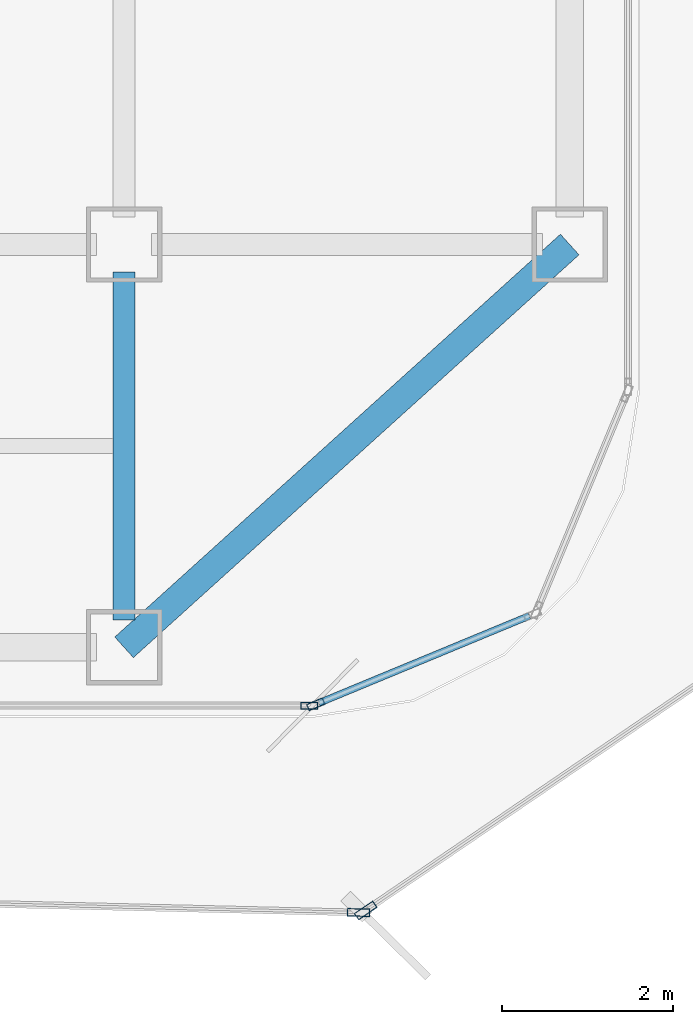
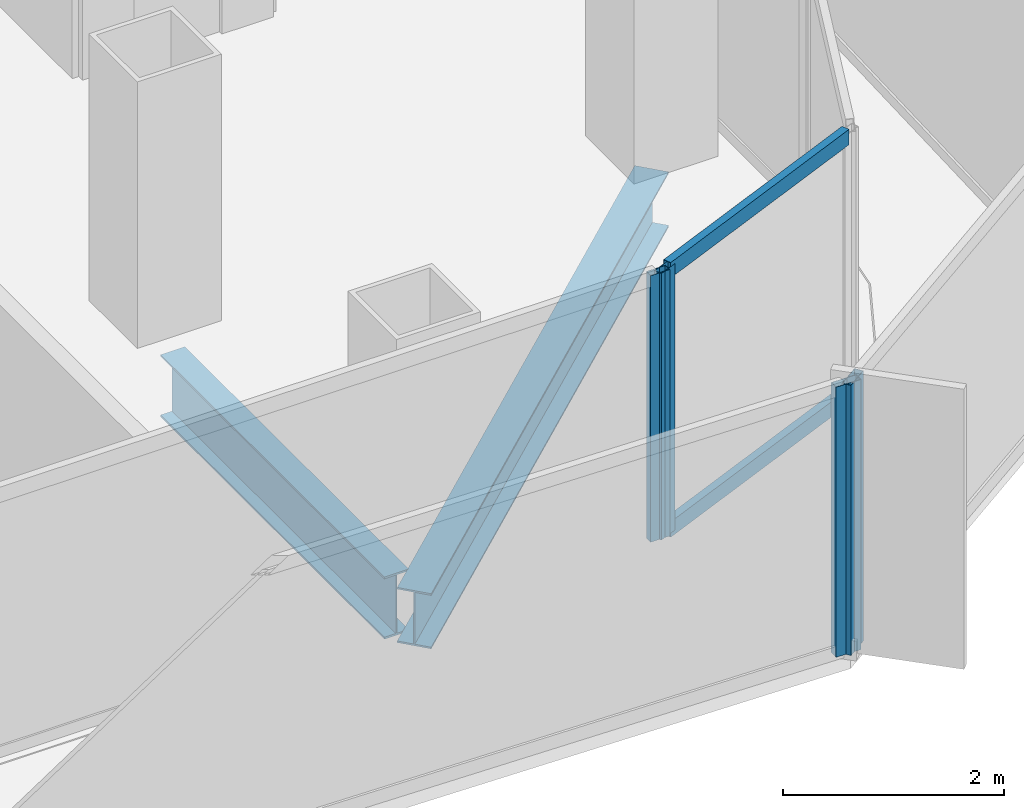
# One storey, part 6 of 21: 6 members, 2 beams, 4 elements without a shape of their own.
"""IFC4 building model written with IfcOpenShell, lengths in metres."""

from ifc_helpers import new_model, si_unit, direction, frame, origin, origin_2d, place, context, subcontext, project, spatial, hollow_rectangle, i_section, extrude, source, transform, mapped, material, layer, layer_set, material_profile, profile_set, type_object, element, aggregate, save


model = new_model("IFC4")

# Units and contexts
model_context = context("Model", 3, precision=1e-05, world=origin(), true_north=direction((0.0, 1.0)))
body_context = subcontext(model_context, "Body", "Model", "MODEL_VIEW")
ifc_project = project(units=[si_unit("LENGTHUNIT", "METRE"), si_unit("AREAUNIT", "SQUARE_METRE"), si_unit("VOLUMEUNIT", "CUBIC_METRE"), si_unit("PLANEANGLEUNIT", "RADIAN"), si_unit("MASSUNIT", "GRAM", prefix="KILO")], contexts=[model_context])

# Site, building, storey
site_placement = place(None, origin())
site = spatial("IfcSite", under=ifc_project, at=site_placement, CompositionType="ELEMENT")
building_placement = place(site_placement, origin())
building = spatial("IfcBuilding", under=site, at=building_placement, Name="Kolveth Station Tower", CompositionType="ELEMENT")
storey_placement = place(building_placement, frame((0.0, 0.0, 102.300048828125)))
storey = spatial("IfcBuildingStorey", under=building, at=storey_placement, Name="L27", CompositionType="ELEMENT", Elevation=102.300048828125)

# Beams
ifc_material_1 = material(Name="Steel S355", Category="steel")
ifc_material_profile_1 = material_profile(ifc_material_1, i_section(OverallWidth=0.323974609375, OverallDepth=0.611083984375, WebThickness=0.0126953125, FlangeThickness=0.01904296875, at=origin_2d()), Name="W610x155")
ifc_profile_set_1 = profile_set([ifc_material_profile_1], Name="Steel S355")
beam_type_1 = type_object("IfcBeamType", Name="Beam_SP2", PredefinedType="SPANDREL", material=ifc_profile_set_1)
shared_shape_1 = source(origin(), body_context, "Body", "SweptSolid", [
    extrude(i_section(OverallWidth=0.323974609375, OverallDepth=0.611083984375, WebThickness=0.0126953125, FlangeThickness=0.01904296875, at=origin_2d()), origin(), (0.0, 0.0, 1.0), 7.00927734375),
])
beam_1_placement = place(storey_placement, frame((41.0, 0.800048828125, -0.5556640625), z_axis=(0.741874009795, 0.670539300557, 0.0), x_axis=(-0.670539300557, 0.741874009795, 0.0)))
element("IfcBeam", 1, at=beam_1_placement, inside=storey, type_object=beam_type_1, Name="L27 Corner Edge Girder BM-L27-CNR-SE", PredefinedType="SPANDREL", context=body_context, shape_type="MappedRepresentation", body=[
    mapped(shared_shape_1, transform((0.0, 0.0, 0.0), x_axis=(1.0, 0.0, 0.0), y_axis=(0.0, 1.0, 0.0), z_axis=(0.0, 0.0, 1.0), scale=1.0)),
])
ifc_material_profile_2 = material_profile(ifc_material_1, i_section(OverallWidth=0.25390625, OverallDepth=0.68798828125, WebThickness=0.01318359375, FlangeThickness=0.02099609375, at=origin_2d()), Name="W690x152")
ifc_profile_set_2 = profile_set([ifc_material_profile_2], Name="Steel S355")
beam_type_2 = type_object("IfcBeamType", Name="Beam_B4", PredefinedType="BEAM", material=ifc_profile_set_2)
shared_shape_2 = source(origin(), body_context, "Body", "SweptSolid", [
    extrude(i_section(OverallWidth=0.25390625, OverallDepth=0.68798828125, WebThickness=0.01318359375, FlangeThickness=0.02099609375, at=origin_2d()), origin(), (0.0, 0.0, 1.0), 4.059814453125),
])
beam_2_placement = place(storey_placement, frame((41.0, 1.1201171875, -0.593994140625), z_axis=(0.0, 1.0, 0.0), x_axis=(-1.0, 0.0, 0.0)))
element("IfcBeam", 2, at=beam_2_placement, inside=storey, type_object=beam_type_2, Name="L27 Primary Girder BM-L27-GX410-1", PredefinedType="BEAM", context=body_context, shape_type="MappedRepresentation", body=[
    mapped(shared_shape_2, transform((0.0, 0.0, 0.0), x_axis=(1.0, 0.0, 0.0), y_axis=(0.0, 1.0, 0.0), z_axis=(0.0, 0.0, 1.0), scale=1.0)),
])

# Curtain wall, member
ifc_material_2 = material(Name="Aluminium 6063-T6 and low-E dark glass", Category="aluminium")
ifc_layer_1 = layer(ifc_material_2, 0.18994140625)
ifc_layer_set_1 = layer_set([ifc_layer_1], Name="Aluminium 6063-T6 and low-E dark glass")
curtain_wall_type_1 = type_object("IfcCurtainWallType", Name="CurtainWall_CW-Z2", PredefinedType="NOTDEFINED", material=ifc_layer_set_1)
curtain_wall_1_placement = place(storey_placement, origin())
curtain_wall_1 = element("IfcCurtainWall", 3, at=curtain_wall_1_placement, inside=storey, type_object=curtain_wall_type_1, Name="L27 Inner Thermal Curtain Wall 1", PredefinedType="NOTDEFINED")
ifc_material_3 = material(Name="Black anodized aluminium 6063-T6", Category="aluminium")
ifc_material_profile_3 = material_profile(ifc_material_3, hollow_rectangle(XDim=0.080078125, YDim=0.199951171875, WallThickness=0.0048828125, at=origin_2d()), Name="ALU-80x200x5")
ifc_profile_set_3 = profile_set([ifc_material_profile_3], Name="Black anodized aluminium 6063-T6")
member_type_1 = type_object("IfcMemberType", Name="Mullion_ML2", PredefinedType="MULLION", material=ifc_profile_set_3)
shared_shape_3 = source(origin(), body_context, "Body", "SweptSolid", [
    extrude(hollow_rectangle(XDim=0.080078125, YDim=0.199951171875, WallThickness=0.0048828125, at=origin_2d()), origin(), (0.0, 0.0, 1.0), 2.949951171875),
])
member_1_placement = place(storey_placement, frame((43.237060546875, 0.13525390625, 0.0), z_axis=(0.0, 0.0, 1.0), x_axis=(-0.38266326998, 0.923887883787, 0.0)))
member_1 = element("IfcMember", 4, at=member_1_placement, type_object=member_type_1, Name="CW-Z2 mullion 1", PredefinedType="MULLION", context=body_context, shape_type="MappedRepresentation", body=[
    mapped(shared_shape_3, transform((0.0, 0.0, 0.0), x_axis=(1.0, 0.0, 0.0), y_axis=(0.0, 1.0, 0.0), z_axis=(0.0, 0.0, 1.0), scale=1.0)),
])

curtain_wall_2_placement = place(storey_placement, origin())
curtain_wall_2 = element("IfcCurtainWall", 5, at=curtain_wall_2_placement, inside=storey, type_object=curtain_wall_type_1, Name="L27 Inner Thermal Curtain Wall 12", PredefinedType="NOTDEFINED")
member_2_placement = place(storey_placement, frame((43.159912109375, 0.1201171875, 0.0), z_axis=(0.0, 0.0, 1.0), x_axis=(0.0, 1.0, 0.0)))
member_2 = element("IfcMember", 6, at=member_2_placement, type_object=member_type_1, Name="CW-Z2 mullion 3", PredefinedType="MULLION", context=body_context, shape_type="MappedRepresentation", body=[
    mapped(shared_shape_3, transform((0.0, 0.0, 0.0), x_axis=(1.0, 0.0, 0.0), y_axis=(0.0, 1.0, 0.0), z_axis=(0.0, 0.0, 1.0), scale=1.0)),
])
aggregate(curtain_wall_2, [member_2])

# Member
ifc_material_profile_4 = material_profile(ifc_material_3, hollow_rectangle(XDim=0.080078125, YDim=0.169921875, WallThickness=0.0048828125, at=origin_2d()), Name="ALU-80x170x5")
ifc_profile_set_4 = profile_set([ifc_material_profile_4], Name="Black anodized aluminium 6063-T6")
member_type_2 = type_object("IfcMemberType", Name="Transom_TR2", PredefinedType="USERDEFINED", material=ifc_profile_set_4)
shared_shape_4 = source(origin(), body_context, "Body", "SweptSolid", [
    extrude(hollow_rectangle(XDim=0.080078125, YDim=0.169921875, WallThickness=0.0048828125, at=origin_2d()), origin(), (0.0, 0.0, 1.0), 2.656494140625),
])
member_3_placement = place(storey_placement, frame((43.27392578125, 0.150634765625, 0.0400390625), z_axis=(0.923882422403, 0.382676455475, 0.0), x_axis=(-0.382676455475, 0.923882422403, 0.0)))
member_3 = element("IfcMember", 7, at=member_3_placement, type_object=member_type_2, Name="CW-Z2 transom 1.1", ObjectType="TRANSOM", PredefinedType="USERDEFINED", context=body_context, shape_type="MappedRepresentation", body=[
    mapped(shared_shape_4, transform((0.0, 0.0, 0.0), x_axis=(1.0, 0.0, 0.0), y_axis=(0.0, 1.0, 0.0), z_axis=(0.0, 0.0, 1.0), scale=1.0)),
])

member_4_placement = place(storey_placement, frame((43.27392578125, 0.150634765625, 2.909912109375), z_axis=(0.923882422403, 0.382676455475, 0.0), x_axis=(-0.382676455475, 0.923882422403, 0.0)))
member_4 = element("IfcMember", 8, at=member_4_placement, type_object=member_type_2, Name="CW-Z2 transom 1.2", ObjectType="TRANSOM", PredefinedType="USERDEFINED", context=body_context, shape_type="MappedRepresentation", body=[
    mapped(shared_shape_4, transform((0.0, 0.0, 0.0), x_axis=(1.0, 0.0, 0.0), y_axis=(0.0, 1.0, 0.0), z_axis=(0.0, 0.0, 1.0), scale=1.0)),
])

aggregate(curtain_wall_1, [member_1, member_3, member_4])

# Curtain wall, member
ifc_material_4 = material(Name="Black anodized aluminium 6063-T6 and dark solar glass", Category="aluminium")
ifc_layer_2 = layer(ifc_material_4, 0.159912109375)
ifc_layer_set_2 = layer_set([ifc_layer_2], Name="Black anodized aluminium 6063-T6 and dark solar glass")
curtain_wall_type_2 = type_object("IfcCurtainWallType", Name="OUTER SKIN CW-OS", PredefinedType="NOTDEFINED", material=ifc_layer_set_2)
curtain_wall_3_placement = place(storey_placement, origin())
curtain_wall_3 = element("IfcCurtainWall", 9, at=curtain_wall_3_placement, inside=storey, type_object=curtain_wall_type_2, Name="L27 Outer Ventilated Skin Curtain Wall 1", PredefinedType="NOTDEFINED")
ifc_material_profile_5 = material_profile(ifc_material_3, hollow_rectangle(XDim=0.090087890625, YDim=0.260009765625, WallThickness=0.0048828125, at=origin_2d()), Name="ALU-90x260x5")
ifc_profile_set_5 = profile_set([ifc_material_profile_5], Name="Black anodized aluminium 6063-T6")
member_type_3 = type_object("IfcMemberType", Name="FIN MULLION ML-OS", PredefinedType="MULLION", material=ifc_profile_set_5)
shared_shape_5 = source(origin(), body_context, "Body", "SweptSolid", [
    extrude(hollow_rectangle(XDim=0.090087890625, YDim=0.260009765625, WallThickness=0.0048828125, at=origin_2d()), origin(), (0.0, 0.0, 1.0), 2.989990234375),
])
member_5_placement = place(storey_placement, frame((43.818603515625, -2.27001953125, 0.0), z_axis=(0.0, 0.0, 1.0), x_axis=(-0.562957717264, 0.826485697742, 0.0)))
member_5 = element("IfcMember", 10, at=member_5_placement, type_object=member_type_3, Name="CW-OS mullion 1", PredefinedType="MULLION", context=body_context, shape_type="MappedRepresentation", body=[
    mapped(shared_shape_5, transform((0.0, 0.0, 0.0), x_axis=(1.0, 0.0, 0.0), y_axis=(0.0, 1.0, 0.0), z_axis=(0.0, 0.0, 1.0), scale=1.0)),
])
aggregate(curtain_wall_3, [member_5])

curtain_wall_4_placement = place(storey_placement, origin())
curtain_wall_4 = element("IfcCurtainWall", 11, at=curtain_wall_4_placement, inside=storey, type_object=curtain_wall_type_2, Name="L27 Outer Ventilated Skin Curtain Wall 8", PredefinedType="NOTDEFINED")
member_6_placement = place(storey_placement, frame((43.736328125, -2.294189453125, 0.0), z_axis=(0.0, 0.0, 1.0), x_axis=(0.023233624053, 0.999730062924, 0.0)))
member_6 = element("IfcMember", 12, at=member_6_placement, type_object=member_type_3, Name="CW-OS mullion 2", PredefinedType="MULLION", context=body_context, shape_type="MappedRepresentation", body=[
    mapped(shared_shape_5, transform((0.0, 0.0, 0.0), x_axis=(1.0, 0.0, 0.0), y_axis=(0.0, 1.0, 0.0), z_axis=(0.0, 0.0, 1.0), scale=1.0)),
])
aggregate(curtain_wall_4, [member_6])

save(model, "model.ifc")
